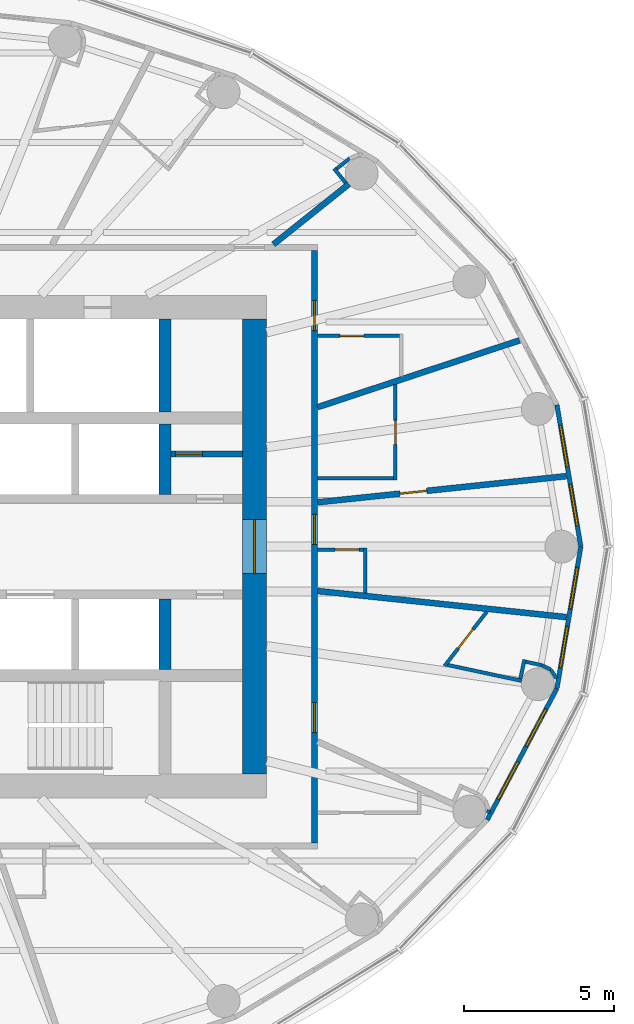
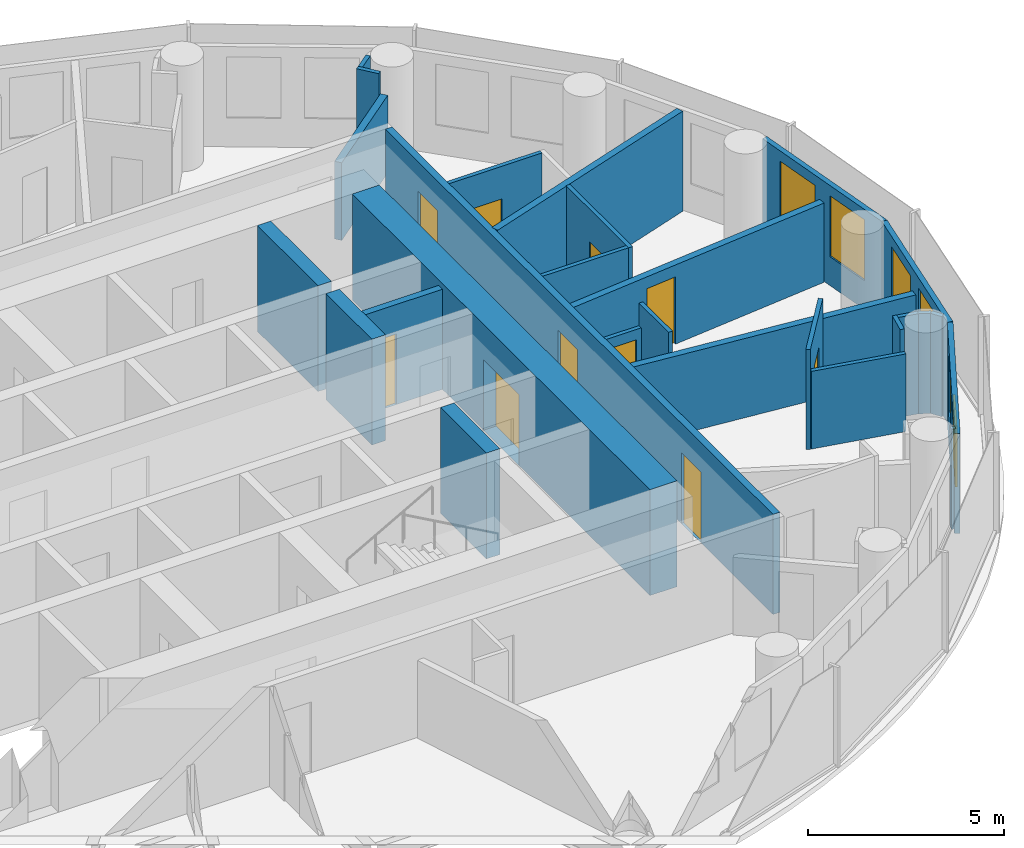
# One storey, part 11 of 16: 27 walls, 10 doors, 6 windows, 16 openings.
"""IFC4 building model written with IfcOpenShell, lengths in metres."""

from ifc_helpers import new_model, si_unit, direction, frame, frame_2d, origin, place, context, subcontext, project, spatial, rectangle, extrude, material, layer, layer_set, type_object, element, fill, save


model = new_model("IFC4")

# Units and contexts
model_context = context("Model", 3, precision=1e-05, world=origin(), true_north=direction((0.0, 1.0)))
body_context = subcontext(model_context, "Body", "Model", "MODEL_VIEW")
ifc_project = project(units=[si_unit("LENGTHUNIT", "METRE"), si_unit("AREAUNIT", "SQUARE_METRE"), si_unit("VOLUMEUNIT", "CUBIC_METRE"), si_unit("PLANEANGLEUNIT", "RADIAN"), si_unit("MASSUNIT", "GRAM", prefix="KILO")], contexts=[model_context])

# Site, building, storey
site_placement = place(None, origin())
site = spatial("IfcSite", under=ifc_project, at=site_placement, CompositionType="ELEMENT")
building_placement = place(site_placement, origin())
building = spatial("IfcBuilding", under=site, at=building_placement, Name="Hankou Lantern Tower", CompositionType="ELEMENT")
storey_placement = place(building_placement, frame((0.0, 0.0, 173.10009765625)))
storey = spatial("IfcBuildingStorey", under=building, at=storey_placement, Name="L46", CompositionType="ELEMENT", Elevation=173.10009765625)

# Wall, opening, door
ifc_material_1 = material(Name="Concrete C60", Category="concrete")
ifc_layer_1 = layer(ifc_material_1, 0.800048828125)
ifc_layer_set_1 = layer_set([ifc_layer_1], Name="Concrete C60")
wall_type_1 = type_object("IfcWallType", Name="CW2 CORE WALL 800", PredefinedType="SHEAR", material=ifc_layer_set_1)
wall_1_placement = place(storey_placement, frame((12.0, -7.60009765625, 0.0), z_axis=(0.0, 0.0, 1.0), x_axis=(0.0, 1.0, 0.0)))
wall_1 = element("IfcWall", 1, at=wall_1_placement, inside=storey, type_object=wall_type_1, Name="Core wall east L46", PredefinedType="SHEAR", context=body_context, shape_type="SweptSolid", body=[
    extrude(rectangle(XDim=15.2001953125, YDim=0.800048828125, at=frame_2d((7.60009765625, 0.0))), origin(), (0.0, 0.0, 1.0), 3.2998046875),
])
opening_1_placement = place(wall_1_placement, frame((6.699951171875, 0.0, 0.0)))
opening_1 = element("IfcOpeningElement", 2, at=opening_1_placement, cuts=wall_1, Name="Opening D6", PredefinedType="OPENING", context=body_context, shape_type="SweptSolid", body=[
    extrude(rectangle(XDim=1.800048828125, YDim=2.199951171875, at=frame_2d((0.89990234375, 1.10009765625))), frame((0.0, 0.409912109375, 0.0), z_axis=(0.0, -1.0, 0.0), x_axis=(1.0, 0.0, 0.0)), (0.0, 0.0, 1.0), 0.820068359375),
])
ifc_material_2 = material(Name="Steel door leaf", Category="steel")
door_type_1 = type_object("IfcDoorType", Name="D6 LIFT LOBBY DOOR 1800X2200", OperationType="DOUBLE_DOOR_DOUBLE_SWING", PredefinedType="DOOR", material=ifc_material_2)
door_1_placement = place(opening_1_placement, origin())
door_1 = element("IfcDoor", 3, at=door_1_placement, inside=storey, type_object=door_type_1, Name="Lift lobby east door", OperationType="DOUBLE_DOOR_DOUBLE_SWING", OverallHeight=2.199951171875, OverallWidth=1.800048828125, PredefinedType="DOOR", context=body_context, shape_type="SweptSolid", body=[
    extrude(rectangle(XDim=1.800048828125, YDim=2.199951171875, at=frame_2d((0.89990234375, 1.10009765625))), frame((0.0, 0.02490234375, 0.0), z_axis=(0.0, -1.0, 0.0), x_axis=(1.0, 0.0, 0.0)), (0.0, 0.0, 1.0), 0.050048828125),
])
fill(opening_1, door_1)

# Walls
ifc_material_3 = material(Name="Concrete C60", Category="concrete")
ifc_layer_2 = layer(ifc_material_3, 0.39990234375)
ifc_layer_set_2 = layer_set([ifc_layer_2], Name="Concrete C60")
wall_type_2 = type_object("IfcWallType", Name="CW4 CORE CROSS WALL 400", PredefinedType="SHEAR", material=ifc_layer_set_2)
wall_2_placement = place(storey_placement, frame((9.0, 4.5, 0.0), z_axis=(0.0, 0.0, 1.0), x_axis=(0.0, 1.0, 0.0)))
element("IfcWall", 4, at=wall_2_placement, inside=storey, type_object=wall_type_2, Name="Core strip wall L46", PredefinedType="SHEAR", context=body_context, shape_type="SweptSolid", body=[
    extrude(rectangle(XDim=3.10009765625, YDim=0.39990234375, at=frame_2d((1.550048828125, 0.0))), origin(), (0.0, 0.0, 1.0), 3.2998046875),
])
for number, where, z_axis, x_axis, name in (
    (5, (9.0, 1.75, 0.0), (0.0, 0.0, 1.0), (0.0, 1.0, 0.0), "Core strip wall L46"),
    (6, (9.0, -4.10009765625, 0.0), (0.0, 0.0, 1.0), (0.0, 1.0, 0.0), "Core strip wall L46"),
):
    element("IfcWall", number, at=place(storey_placement, frame(where, z_axis=z_axis, x_axis=x_axis)), inside=storey, type_object=wall_type_2, Name=name, PredefinedType="SHEAR", context=body_context, shape_type="SweptSolid", body=[
        extrude(rectangle(XDim=2.35009765625, YDim=0.39990234375, at=frame_2d((1.175048828125, 0.0))), origin(), (0.0, 0.0, 1.0), 3.2998046875),
    ])

# Wall, openings, windows
ifc_material_4 = material(Name="Aluminium spandrel panel on steel studs", Category="steel")
ifc_layer_3 = layer(ifc_material_4, 0.14990234375)
ifc_layer_set_3 = layer_set([ifc_layer_3], Name="Aluminium spandrel panel on steel studs")
wall_type_3 = type_object("IfcWallType", Name="EW1 INNER SKIN WALL 150", PredefinedType="ELEMENTEDWALL", material=ifc_layer_set_3)
wall_3_placement = place(storey_placement, frame((22.89990234375, 0.0, 0.0), z_axis=(0.0, 0.0, 1.0), x_axis=(-0.166162111254, 0.986098449843, 0.0)))
wall_3 = element("IfcWall", 7, at=wall_3_placement, inside=storey, type_object=wall_type_3, Name="Inner skin R01-R02 L46", PredefinedType="ELEMENTEDWALL", context=body_context, shape_type="SweptSolid", body=[
    extrude(rectangle(XDim=4.8046875, YDim=0.14990234375, at=frame_2d((2.40234375, 0.0))), origin(), (0.0, 0.0, 1.0), 3.119873046875),
])
opening_2_placement = place(wall_3_placement, frame((0.7021484375, 0.0, 0.89990234375)))
opening_2 = element("IfcOpeningElement", 8, at=opening_2_placement, cuts=wall_3, Name="Opening W3", PredefinedType="OPENING", context=body_context, shape_type="SweptSolid", body=[
    extrude(rectangle(XDim=1.39990234375, YDim=1.89990234375, at=frame_2d((0.699951171875, 0.949951171875))), frame((0.0, 0.0849609375, 0.0), z_axis=(0.0, -1.0, 0.0), x_axis=(1.0, 0.0, 0.0)), (0.0, 0.0, 1.0), 0.169921875),
])
opening_3_placement = place(wall_3_placement, frame((2.7021484375, 0.0, 0.89990234375)))
opening_3 = element("IfcOpeningElement", 9, at=opening_3_placement, cuts=wall_3, Name="Opening W3", PredefinedType="OPENING", context=body_context, shape_type="SweptSolid", body=[
    extrude(rectangle(XDim=1.39990234375, YDim=1.89990234375, at=frame_2d((0.699951171875, 0.949951171875))), frame((0.0, 0.0849609375, 0.0), z_axis=(0.0, -1.0, 0.0), x_axis=(1.0, 0.0, 0.0)), (0.0, 0.0, 1.0), 0.169921875),
])
ifc_material_5 = material(Name="Aluminium framed double glazed window", Category="aluminium")
window_type = type_object("IfcWindowType", Name="W3 GUEST ROOM WINDOW 1400X1900", PartitioningType="DOUBLE_PANEL_VERTICAL", PredefinedType="WINDOW", material=ifc_material_5)
window_1_placement = place(opening_2_placement, origin())
window_1 = element("IfcWindow", 10, at=window_1_placement, inside=storey, type_object=window_type, Name="Window R01.1 L46", OverallHeight=1.89990234375, OverallWidth=1.39990234375, PartitioningType="SINGLE_PANEL", PredefinedType="WINDOW", context=body_context, shape_type="SweptSolid", body=[
    extrude(rectangle(XDim=1.39990234375, YDim=1.89990234375, at=frame_2d((0.699951171875, 0.949951171875))), frame((0.0, 0.030029296875, 0.0), z_axis=(0.0, -1.0, 0.0), x_axis=(1.0, 0.0, 0.0)), (0.0, 0.0, 1.0), 0.06005859375),
])
fill(opening_2, window_1)
window_2_placement = place(opening_3_placement, origin())
window_2 = element("IfcWindow", 11, at=window_2_placement, inside=storey, type_object=window_type, Name="Window R01.2 L46", OverallHeight=1.89990234375, OverallWidth=1.39990234375, PartitioningType="SINGLE_PANEL", PredefinedType="WINDOW", context=body_context, shape_type="SweptSolid", body=[
    extrude(rectangle(XDim=1.39990234375, YDim=1.89990234375, at=frame_2d((0.699951171875, 0.949951171875))), frame((0.0, 0.030029296875, 0.0), z_axis=(0.0, -1.0, 0.0), x_axis=(1.0, 0.0, 0.0)), (0.0, 0.0, 1.0), 0.06005859375),
])
fill(opening_3, window_2)

wall_4_placement = place(storey_placement, frame((19.771728515625, -9.132080078125, 0.0), z_axis=(0.0, 0.0, 1.0), x_axis=(0.468428906714, 0.883501193748, 0.0)))
wall_4 = element("IfcWall", 12, at=wall_4_placement, inside=storey, type_object=wall_type_3, Name="Inner skin R23-R24 L46", PredefinedType="ELEMENTEDWALL", context=body_context, shape_type="SweptSolid", body=[
    extrude(rectangle(XDim=4.9736328125, YDim=0.14990234375, at=frame_2d((2.48681640625, 0.0))), origin(), (0.0, 0.0, 1.0), 3.119873046875),
])
opening_4_placement = place(wall_4_placement, frame((0.786865234375, 0.0, 0.89990234375)))
opening_4 = element("IfcOpeningElement", 13, at=opening_4_placement, cuts=wall_4, Name="Opening W3", PredefinedType="OPENING", context=body_context, shape_type="SweptSolid", body=[
    extrude(rectangle(XDim=1.39990234375, YDim=1.89990234375, at=frame_2d((0.699951171875, 0.949951171875))), frame((0.0, 0.0849609375, 0.0), z_axis=(0.0, -1.0, 0.0), x_axis=(1.0, 0.0, 0.0)), (0.0, 0.0, 1.0), 0.169921875),
])
opening_5_placement = place(wall_4_placement, frame((2.786865234375, 0.0, 0.89990234375)))
opening_5 = element("IfcOpeningElement", 14, at=opening_5_placement, cuts=wall_4, Name="Opening W3", PredefinedType="OPENING", context=body_context, shape_type="SweptSolid", body=[
    extrude(rectangle(XDim=1.39990234375, YDim=1.89990234375, at=frame_2d((0.699951171875, 0.949951171875))), frame((0.0, 0.0849609375, 0.0), z_axis=(0.0, -1.0, 0.0), x_axis=(1.0, 0.0, 0.0)), (0.0, 0.0, 1.0), 0.169921875),
])
window_3_placement = place(opening_4_placement, origin())
window_3 = element("IfcWindow", 15, at=window_3_placement, inside=storey, type_object=window_type, Name="Window R23.1 L46", OverallHeight=1.89990234375, OverallWidth=1.39990234375, PartitioningType="SINGLE_PANEL", PredefinedType="WINDOW", context=body_context, shape_type="SweptSolid", body=[
    extrude(rectangle(XDim=1.39990234375, YDim=1.89990234375, at=frame_2d((0.699951171875, 0.949951171875))), frame((0.0, 0.030029296875, 0.0), z_axis=(0.0, -1.0, 0.0), x_axis=(1.0, 0.0, 0.0)), (0.0, 0.0, 1.0), 0.06005859375),
])
fill(opening_4, window_3)
window_4_placement = place(opening_5_placement, origin())
window_4 = element("IfcWindow", 16, at=window_4_placement, inside=storey, type_object=window_type, Name="Window R23.2 L46", OverallHeight=1.89990234375, OverallWidth=1.39990234375, PartitioningType="SINGLE_PANEL", PredefinedType="WINDOW", context=body_context, shape_type="SweptSolid", body=[
    extrude(rectangle(XDim=1.39990234375, YDim=1.89990234375, at=frame_2d((0.699951171875, 0.949951171875))), frame((0.0, 0.030029296875, 0.0), z_axis=(0.0, -1.0, 0.0), x_axis=(1.0, 0.0, 0.0)), (0.0, 0.0, 1.0), 0.06005859375),
])
fill(opening_5, window_4)

wall_5_placement = place(storey_placement, frame((22.1015625, -4.73779296875, 0.0), z_axis=(0.0, 0.0, 1.0), x_axis=(0.166162111254, 0.986098449843, 0.0)))
wall_5 = element("IfcWall", 17, at=wall_5_placement, inside=storey, type_object=wall_type_3, Name="Inner skin R24-R01 L46", PredefinedType="ELEMENTEDWALL", context=body_context, shape_type="SweptSolid", body=[
    extrude(rectangle(XDim=4.8046875, YDim=0.14990234375, at=frame_2d((2.40234375, 0.0))), origin(), (0.0, 0.0, 1.0), 3.119873046875),
])
opening_6_placement = place(wall_5_placement, frame((0.7021484375, 0.0, 0.89990234375)))
opening_6 = element("IfcOpeningElement", 18, at=opening_6_placement, cuts=wall_5, Name="Opening W3", PredefinedType="OPENING", context=body_context, shape_type="SweptSolid", body=[
    extrude(rectangle(XDim=1.39990234375, YDim=1.89990234375, at=frame_2d((0.699951171875, 0.949951171875))), frame((0.0, 0.0849609375, 0.0), z_axis=(0.0, -1.0, 0.0), x_axis=(1.0, 0.0, 0.0)), (0.0, 0.0, 1.0), 0.169921875),
])
opening_7_placement = place(wall_5_placement, frame((2.7021484375, 0.0, 0.89990234375)))
opening_7 = element("IfcOpeningElement", 19, at=opening_7_placement, cuts=wall_5, Name="Opening W3", PredefinedType="OPENING", context=body_context, shape_type="SweptSolid", body=[
    extrude(rectangle(XDim=1.39990234375, YDim=1.89990234375, at=frame_2d((0.699951171875, 0.949951171875))), frame((0.0, 0.0849609375, 0.0), z_axis=(0.0, -1.0, 0.0), x_axis=(1.0, 0.0, 0.0)), (0.0, 0.0, 1.0), 0.169921875),
])
window_5_placement = place(opening_6_placement, origin())
window_5 = element("IfcWindow", 20, at=window_5_placement, inside=storey, type_object=window_type, Name="Window R24.1 L46", OverallHeight=1.89990234375, OverallWidth=1.39990234375, PartitioningType="SINGLE_PANEL", PredefinedType="WINDOW", context=body_context, shape_type="SweptSolid", body=[
    extrude(rectangle(XDim=1.39990234375, YDim=1.89990234375, at=frame_2d((0.699951171875, 0.949951171875))), frame((0.0, 0.030029296875, 0.0), z_axis=(0.0, -1.0, 0.0), x_axis=(1.0, 0.0, 0.0)), (0.0, 0.0, 1.0), 0.06005859375),
])
fill(opening_6, window_5)
window_6_placement = place(opening_7_placement, origin())
window_6 = element("IfcWindow", 21, at=window_6_placement, inside=storey, type_object=window_type, Name="Window R24.2 L46", OverallHeight=1.89990234375, OverallWidth=1.39990234375, PartitioningType="SINGLE_PANEL", PredefinedType="WINDOW", context=body_context, shape_type="SweptSolid", body=[
    extrude(rectangle(XDim=1.39990234375, YDim=1.89990234375, at=frame_2d((0.699951171875, 0.949951171875))), frame((0.0, 0.030029296875, 0.0), z_axis=(0.0, -1.0, 0.0), x_axis=(1.0, 0.0, 0.0)), (0.0, 0.0, 1.0), 0.06005859375),
])
fill(opening_7, window_6)

# Walls
ifc_material_6 = material(Name="Masonry lightweight concrete block", Category="masonry")
ifc_layer_4 = layer(ifc_material_6, 0.199951171875)
ifc_layer_set_4 = layer_set([ifc_layer_4], Name="Masonry lightweight concrete block")
wall_type_4 = type_object("IfcWallType", Name="IW1 GUEST ROOM PARTY WALL 200", PredefinedType="PARTITIONING", material=ifc_layer_set_4)
wall_6_placement = place(storey_placement, frame((14.10009765625, 4.661376953125, 0.0), z_axis=(0.0, 0.0, 1.0), x_axis=(0.949453216399, 0.313908569285, 0.0)))
element("IfcWall", 22, at=wall_6_placement, inside=storey, type_object=wall_type_4, Name="Party wall R02-R03", PredefinedType="PARTITIONING", context=body_context, shape_type="SweptSolid", body=[
    extrude(rectangle(XDim=7.108642578125, YDim=0.199951171875, at=frame_2d((3.55419921875, 0.0))), origin(), (0.0, 0.0, 1.0), 3.119873046875),
])
wall_7_placement = place(storey_placement, frame((12.625, 10.10009765625, 0.0), z_axis=(0.0, 0.0, 1.0), x_axis=(0.780876185034, 0.624685827954, 0.0)))
element("IfcWall", 23, at=wall_7_placement, inside=storey, type_object=wall_type_4, Name="Party wall R04", PredefinedType="PARTITIONING", context=body_context, shape_type="SweptSolid", body=[
    extrude(rectangle(XDim=3.229248046875, YDim=0.199951171875, at=frame_2d((1.61474609375, 0.0))), origin(), (0.0, 0.0, 1.0), 2.419921875),
])
wall_8_placement = place(storey_placement, frame((14.10009765625, -1.4814453125, 0.0), z_axis=(0.0, 0.0, 1.0), x_axis=(0.994524794819, -0.104500873159, 0.0)))
element("IfcWall", 24, at=wall_8_placement, inside=storey, type_object=wall_type_4, Name="Party wall R24-R01", PredefinedType="PARTITIONING", context=body_context, shape_type="SweptSolid", body=[
    extrude(rectangle(XDim=8.361572265625, YDim=0.199951171875, at=frame_2d((4.1806640625, 0.0))), origin(), (0.0, 0.0, 1.0), 2.469970703125),
])

# Wall, openings, doors
ifc_material_7 = material(Name="Masonry lightweight concrete block", Category="masonry")
ifc_layer_5 = layer(ifc_material_7, 0.199951171875)
ifc_layer_set_5 = layer_set([ifc_layer_5], Name="Masonry lightweight concrete block")
wall_type_5 = type_object("IfcWallType", Name="IW2 CORRIDOR WALL 200", PredefinedType="PARTITIONING", material=ifc_layer_set_5)
wall_9_placement = place(storey_placement, frame((14.0, -9.89990234375, 0.0), z_axis=(0.0, 0.0, 1.0), x_axis=(0.0, 1.0, 0.0)))
wall_9 = element("IfcWall", 25, at=wall_9_placement, inside=storey, type_object=wall_type_5, Name="Corridor wall east", PredefinedType="PARTITIONING", context=body_context, shape_type="SweptSolid", body=[
    extrude(rectangle(XDim=19.7998046875, YDim=0.199951171875, at=frame_2d((9.89990234375, 0.0))), origin(), (0.0, 0.0, 1.0), 3.119873046875),
])
opening_8_placement = place(wall_9_placement, frame((3.6875, 0.0, 0.0)))
opening_8 = element("IfcOpeningElement", 26, at=opening_8_placement, cuts=wall_9, Name="Opening D1", PredefinedType="OPENING", context=body_context, shape_type="SweptSolid", body=[
    extrude(rectangle(XDim=1.0, YDim=2.199951171875, at=frame_2d((0.5, 1.10009765625))), frame((0.0, 0.10986328125, 0.0), z_axis=(0.0, -1.0, 0.0), x_axis=(1.0, 0.0, 0.0)), (0.0, 0.0, 1.0), 0.219970703125),
])
opening_9_placement = place(wall_9_placement, frame((9.978515625, 0.0, 0.0)))
opening_9 = element("IfcOpeningElement", 27, at=opening_9_placement, cuts=wall_9, Name="Opening D2", PredefinedType="OPENING", context=body_context, shape_type="SweptSolid", body=[
    extrude(rectangle(XDim=1.0, YDim=2.199951171875, at=frame_2d((0.5, 1.10009765625))), frame((0.0, 0.10986328125, 0.0), z_axis=(0.0, -1.0, 0.0), x_axis=(1.0, 0.0, 0.0)), (0.0, 0.0, 1.0), 0.219970703125),
])
opening_10_placement = place(wall_9_placement, frame((17.12158203125, 0.0, 0.0)))
opening_10 = element("IfcOpeningElement", 28, at=opening_10_placement, cuts=wall_9, Name="Opening D1", PredefinedType="OPENING", context=body_context, shape_type="SweptSolid", body=[
    extrude(rectangle(XDim=1.0, YDim=2.199951171875, at=frame_2d((0.5, 1.10009765625))), frame((0.0, 0.10986328125, 0.0), z_axis=(0.0, -1.0, 0.0), x_axis=(1.0, 0.0, 0.0)), (0.0, 0.0, 1.0), 0.219970703125),
])
ifc_material_8 = material(Name="Steel door leaf", Category="steel")
door_type_2 = type_object("IfcDoorType", Name="D1 GUEST ROOM DOOR 1000X2200", OperationType="SINGLE_SWING_LEFT", PredefinedType="DOOR", material=ifc_material_8)
door_2_placement = place(opening_8_placement, origin())
door_2 = element("IfcDoor", 29, at=door_2_placement, inside=storey, type_object=door_type_2, Name="Guest room door 4604", OperationType="SINGLE_SWING_LEFT", OverallHeight=2.199951171875, OverallWidth=1.0, PredefinedType="DOOR", context=body_context, shape_type="SweptSolid", body=[
    extrude(rectangle(XDim=1.0, YDim=2.199951171875, at=frame_2d((0.5, 1.10009765625))), frame((0.0, 0.02490234375, 0.0), z_axis=(0.0, -1.0, 0.0), x_axis=(1.0, 0.0, 0.0)), (0.0, 0.0, 1.0), 0.050048828125),
])
fill(opening_8, door_2)
door_3_placement = place(opening_10_placement, origin())
door_3 = element("IfcDoor", 30, at=door_3_placement, inside=storey, type_object=door_type_2, Name="Guest room door 4606", OperationType="SINGLE_SWING_RIGHT", OverallHeight=2.199951171875, OverallWidth=1.0, PredefinedType="DOOR", context=body_context, shape_type="SweptSolid", body=[
    extrude(rectangle(XDim=1.0, YDim=2.199951171875, at=frame_2d((0.5, 1.10009765625))), frame((0.0, 0.02490234375, 0.0), z_axis=(0.0, -1.0, 0.0), x_axis=(1.0, 0.0, 0.0)), (0.0, 0.0, 1.0), 0.050048828125),
])
fill(opening_10, door_3)
ifc_material_9 = material(Name="Steel door leaf", Category="steel")
door_type_3 = type_object("IfcDoorType", Name="D2 SUITE DOOR 1000X2200", OperationType="SINGLE_SWING_LEFT", PredefinedType="DOOR", material=ifc_material_9)
door_4_placement = place(opening_9_placement, origin())
door_4 = element("IfcDoor", 31, at=door_4_placement, inside=storey, type_object=door_type_3, Name="Suite door 4605C", OperationType="SINGLE_SWING_RIGHT", OverallHeight=2.199951171875, OverallWidth=1.0, PredefinedType="DOOR", context=body_context, shape_type="SweptSolid", body=[
    extrude(rectangle(XDim=1.0, YDim=2.199951171875, at=frame_2d((0.5, 1.10009765625))), frame((0.0, 0.02490234375, 0.0), z_axis=(0.0, -1.0, 0.0), x_axis=(1.0, 0.0, 0.0)), (0.0, 0.0, 1.0), 0.050048828125),
])
fill(opening_9, door_4)

# Wall, opening, door
ifc_material_10 = material(Name="Masonry lightweight concrete block", Category="masonry")
ifc_layer_6 = layer(ifc_material_10, 0.1201171875)
ifc_layer_set_6 = layer_set([ifc_layer_6], Name="Masonry lightweight concrete block")
wall_type_6 = type_object("IfcWallType", Name="IW3 BATHROOM WALL 120", PredefinedType="PARTITIONING", material=ifc_layer_set_6)
wall_10_placement = place(storey_placement, frame((19.757568359375, -2.176513671875, 0.0), z_axis=(0.0, 0.0, 1.0), x_axis=(-0.614713147302, -0.788750750576, 0.0)))
wall_10 = element("IfcWall", 32, at=wall_10_placement, inside=storey, type_object=wall_type_6, Name="Box wall 4604 1", PredefinedType="PARTITIONING", context=body_context, shape_type="SweptSolid", body=[
    extrude(rectangle(XDim=2.29638671875, YDim=0.1201171875, at=frame_2d((1.148193359375, 0.0))), origin(), (0.0, 0.0, 1.0), 3.119873046875),
])
opening_11_placement = place(wall_10_placement, frame((0.748291015625, 0.0, 0.0)))
opening_11 = element("IfcOpeningElement", 33, at=opening_11_placement, cuts=wall_10, Name="Opening D3", PredefinedType="OPENING", context=body_context, shape_type="SweptSolid", body=[
    extrude(rectangle(XDim=0.800048828125, YDim=2.10009765625, at=frame_2d((0.39990234375, 1.050048828125))), frame((0.0, 0.070068359375, 0.0), z_axis=(0.0, -1.0, 0.0), x_axis=(1.0, 0.0, 0.0)), (0.0, 0.0, 1.0), 0.14013671875),
])
ifc_material_11 = material(Name="Timber door leaf", Category="wood")
door_type_4 = type_object("IfcDoorType", Name="D3 BATHROOM DOOR 800X2100", OperationType="SINGLE_SWING_LEFT", PredefinedType="DOOR", material=ifc_material_11)
door_5_placement = place(opening_11_placement, origin())
door_5 = element("IfcDoor", 34, at=door_5_placement, inside=storey, type_object=door_type_4, Name="En-suite bathroom 4604 door", OperationType="SINGLE_SWING_RIGHT", OverallHeight=2.10009765625, OverallWidth=0.800048828125, PredefinedType="DOOR", context=body_context, shape_type="SweptSolid", body=[
    extrude(rectangle(XDim=0.800048828125, YDim=2.10009765625, at=frame_2d((0.39990234375, 1.050048828125))), frame((0.0, 0.02490234375, 0.0), z_axis=(0.0, -1.0, 0.0), x_axis=(1.0, 0.0, 0.0)), (0.0, 0.0, 1.0), 0.050048828125),
])
fill(opening_11, door_5)

# Walls
wall_11_placement = place(storey_placement, frame((18.44140625, -3.953125, 0.0), z_axis=(0.0, 0.0, 1.0), x_axis=(0.977801007461, -0.209535652833, 0.0)))
element("IfcWall", 35, at=wall_11_placement, inside=storey, type_object=wall_type_6, Name="Box wall 4604 2", PredefinedType="PARTITIONING", context=body_context, shape_type="SweptSolid", body=[
    extrude(rectangle(XDim=2.5400390625, YDim=0.1201171875, at=frame_2d((1.27001953125, 0.0))), origin(), (0.0, 0.0, 1.0), 2.419921875),
])
wall_12_placement = place(storey_placement, frame((20.87890625, -4.414306640625, 0.0), z_axis=(0.0, 0.0, 1.0), x_axis=(0.209554644104, 0.977796937577, 0.0)))
element("IfcWall", 36, at=wall_12_placement, inside=storey, type_object=wall_type_6, Name="Column casing 4604 return", PredefinedType="PARTITIONING", context=body_context, shape_type="SweptSolid", body=[
    extrude(rectangle(XDim=0.65234375, YDim=0.1201171875, at=frame_2d((0.326171875, 0.0))), origin(), (0.0, 0.0, 1.0), 3.119873046875),
])
wall_13_placement = place(storey_placement, frame((21.061767578125, -3.84765625, 0.0), z_axis=(0.0, 0.0, 1.0), x_axis=(0.977789415726, -0.209589738521, 0.0)))
element("IfcWall", 37, at=wall_13_placement, inside=storey, type_object=wall_type_6, Name="Column casing 4604", PredefinedType="PARTITIONING", context=body_context, shape_type="SweptSolid", body=[
    extrude(rectangle(XDim=0.5498046875, YDim=0.1201171875, at=frame_2d((0.27490234375, 0.0))), origin(), (0.0, 0.0, 1.0), 3.119873046875),
])
wall_14_placement = place(storey_placement, frame((21.599365234375, -3.962890625, 0.0), z_axis=(0.0, 0.0, 1.0), x_axis=(0.890193602875, -0.455582428766, 0.0)))
element("IfcWall", 38, at=wall_14_placement, inside=storey, type_object=wall_type_6, Name="Column casing 4604", PredefinedType="PARTITIONING", context=body_context, shape_type="SweptSolid", body=[
    extrude(rectangle(XDim=0.337646484375, YDim=0.1201171875, at=frame_2d((0.1689453125, 0.0))), origin(), (0.0, 0.0, 1.0), 3.119873046875),
])
wall_15_placement = place(storey_placement, frame((21.89990234375, -4.11669921875, 0.0), z_axis=(0.0, 0.0, 1.0), x_axis=(0.543582688681, -0.839355622228, 0.0)))
element("IfcWall", 39, at=wall_15_placement, inside=storey, type_object=wall_type_6, Name="Column casing 4604", PredefinedType="PARTITIONING", context=body_context, shape_type="SweptSolid", body=[
    extrude(rectangle(XDim=0.3359375, YDim=0.1201171875, at=frame_2d((0.16796875, 0.0))), origin(), (0.0, 0.0, 1.0), 3.119873046875),
])
wall_16_placement = place(storey_placement, frame((15.699951171875, -1.549560546875, 0.0), z_axis=(0.0, 0.0, 1.0), x_axis=(0.0, 1.0, 0.0)))
element("IfcWall", 40, at=wall_16_placement, inside=storey, type_object=wall_type_6, Name="Box wall 4605C 1", PredefinedType="PARTITIONING", context=body_context, shape_type="SweptSolid", body=[
    extrude(rectangle(XDim=1.508056640625, YDim=0.1201171875, at=frame_2d((0.75390625, 0.0))), origin(), (0.0, 0.0, 1.0), 3.119873046875),
])

# Wall, opening, door
wall_17_placement = place(storey_placement, frame((14.10009765625, -0.1015625, 0.0), z_axis=(0.0, 0.0, 1.0), x_axis=(1.0, 0.0, 0.0)))
wall_17 = element("IfcWall", 41, at=wall_17_placement, inside=storey, type_object=wall_type_6, Name="Box wall 4605C 1", PredefinedType="PARTITIONING", context=body_context, shape_type="SweptSolid", body=[
    extrude(rectangle(XDim=1.539794921875, YDim=0.1201171875, at=frame_2d((0.77001953125, 0.0))), origin(), (0.0, 0.0, 1.0), 2.419921875),
])
opening_12_placement = place(wall_17_placement, frame((0.590087890625, 0.0, 0.0)))
opening_12 = element("IfcOpeningElement", 42, at=opening_12_placement, cuts=wall_17, Name="Opening D3", PredefinedType="OPENING", context=body_context, shape_type="SweptSolid", body=[
    extrude(rectangle(XDim=0.800048828125, YDim=2.10009765625, at=frame_2d((0.39990234375, 1.050048828125))), frame((0.0, 0.070068359375, 0.0), z_axis=(0.0, -1.0, 0.0), x_axis=(1.0, 0.0, 0.0)), (0.0, 0.0, 1.0), 0.14013671875),
])
door_6_placement = place(opening_12_placement, origin())
door_6 = element("IfcDoor", 43, at=door_6_placement, inside=storey, type_object=door_type_4, Name="Suite 4605 guest WC door", OperationType="SINGLE_SWING_LEFT", OverallHeight=2.10009765625, OverallWidth=0.800048828125, PredefinedType="DOOR", context=body_context, shape_type="SweptSolid", body=[
    extrude(rectangle(XDim=0.800048828125, YDim=2.10009765625, at=frame_2d((0.39990234375, 1.050048828125))), frame((0.0, 0.02490234375, 0.0), z_axis=(0.0, -1.0, 0.0), x_axis=(1.0, 0.0, 0.0)), (0.0, 0.0, 1.0), 0.050048828125),
])
fill(opening_12, door_6)

wall_18_placement = place(storey_placement, frame((16.699951171875, 5.421142578125, 0.0), z_axis=(0.0, 0.0, 1.0), x_axis=(0.0, -1.0, 0.0)))
wall_18 = element("IfcWall", 44, at=wall_18_placement, inside=storey, type_object=wall_type_6, Name="Box wall 4605A 1", PredefinedType="PARTITIONING", context=body_context, shape_type="SweptSolid", body=[
    extrude(rectangle(XDim=3.19970703125, YDim=0.1201171875, at=frame_2d((1.599853515625, 0.0))), origin(), (0.0, 0.0, 1.0), 3.119873046875),
])
opening_13_placement = place(wall_18_placement, frame((1.19970703125, 0.0, 0.0)))
opening_13 = element("IfcOpeningElement", 45, at=opening_13_placement, cuts=wall_18, Name="Opening D3", PredefinedType="OPENING", context=body_context, shape_type="SweptSolid", body=[
    extrude(rectangle(XDim=0.800048828125, YDim=2.10009765625, at=frame_2d((0.39990234375, 1.050048828125))), frame((0.0, 0.070068359375, 0.0), z_axis=(0.0, -1.0, 0.0), x_axis=(1.0, 0.0, 0.0)), (0.0, 0.0, 1.0), 0.14013671875),
])
door_7_placement = place(opening_13_placement, origin())
door_7 = element("IfcDoor", 46, at=door_7_placement, inside=storey, type_object=door_type_4, Name="Suite 4605 bathroom door", OperationType="SINGLE_SWING_LEFT", OverallHeight=2.10009765625, OverallWidth=0.800048828125, PredefinedType="DOOR", context=body_context, shape_type="SweptSolid", body=[
    extrude(rectangle(XDim=0.800048828125, YDim=2.10009765625, at=frame_2d((0.39990234375, 1.050048828125))), frame((0.0, 0.02490234375, 0.0), z_axis=(0.0, -1.0, 0.0), x_axis=(1.0, 0.0, 0.0)), (0.0, 0.0, 1.0), 0.050048828125),
])
fill(opening_13, door_7)

# Wall
wall_19_placement = place(storey_placement, frame((14.10009765625, 2.281494140625, 0.0), z_axis=(0.0, 0.0, 1.0), x_axis=(1.0, 0.0, 0.0)))
element("IfcWall", 47, at=wall_19_placement, inside=storey, type_object=wall_type_6, Name="Box wall 4605A 1", PredefinedType="PARTITIONING", context=body_context, shape_type="SweptSolid", body=[
    extrude(rectangle(XDim=2.539794921875, YDim=0.1201171875, at=frame_2d((1.27001953125, 0.0))), origin(), (0.0, 0.0, 1.0), 3.119873046875),
])

# Wall, opening, door
wall_20_placement = place(storey_placement, frame((14.10009765625, 7.04150390625, 0.0), z_axis=(0.0, 0.0, 1.0), x_axis=(1.0, 0.0, 0.0)))
wall_20 = element("IfcWall", 48, at=wall_20_placement, inside=storey, type_object=wall_type_6, Name="Box wall 4606 1", PredefinedType="PARTITIONING", context=body_context, shape_type="SweptSolid", body=[
    extrude(rectangle(XDim=2.739990234375, YDim=0.1201171875, at=frame_2d((1.3701171875, 0.0))), origin(), (0.0, 0.0, 1.0), 3.119873046875),
])
opening_14_placement = place(wall_20_placement, frame((0.75, 0.0, 0.0)))
opening_14 = element("IfcOpeningElement", 49, at=opening_14_placement, cuts=wall_20, Name="Opening D3", PredefinedType="OPENING", context=body_context, shape_type="SweptSolid", body=[
    extrude(rectangle(XDim=0.800048828125, YDim=2.10009765625, at=frame_2d((0.39990234375, 1.050048828125))), frame((0.0, 0.070068359375, 0.0), z_axis=(0.0, -1.0, 0.0), x_axis=(1.0, 0.0, 0.0)), (0.0, 0.0, 1.0), 0.14013671875),
])
door_8_placement = place(opening_14_placement, origin())
door_8 = element("IfcDoor", 50, at=door_8_placement, inside=storey, type_object=door_type_4, Name="En-suite bathroom 4606 door", OperationType="SINGLE_SWING_LEFT", OverallHeight=2.10009765625, OverallWidth=0.800048828125, PredefinedType="DOOR", context=body_context, shape_type="SweptSolid", body=[
    extrude(rectangle(XDim=0.800048828125, YDim=2.10009765625, at=frame_2d((0.39990234375, 1.050048828125))), frame((0.0, 0.02490234375, 0.0), z_axis=(0.0, -1.0, 0.0), x_axis=(1.0, 0.0, 0.0)), (0.0, 0.0, 1.0), 0.050048828125),
])
fill(opening_14, door_8)

# Walls
ifc_material_12 = material(Name="Masonry lightweight concrete block", Category="masonry")
ifc_layer_7 = layer(ifc_material_12, 0.1201171875)
ifc_layer_set_7 = layer_set([ifc_layer_7], Name="Masonry lightweight concrete block")
wall_type_7 = type_object("IfcWallType", Name="IW4 PARTITION 120", PredefinedType="PARTITIONING", material=ifc_layer_set_7)
wall_21_placement = place(storey_placement, frame((15.037353515625, 12.157958984375, 0.0), z_axis=(0.0, 0.0, 1.0), x_axis=(-0.624840920722, 0.78075208856, 0.0)))
element("IfcWall", 51, at=wall_21_placement, inside=storey, type_object=wall_type_7, Name="Column casing R04 return", PredefinedType="PARTITIONING", context=body_context, shape_type="SweptSolid", body=[
    extrude(rectangle(XDim=0.6123046875, YDim=0.1201171875, at=frame_2d((0.30615234375, 0.0))), origin(), (0.0, 0.0, 1.0), 3.119873046875),
])
wall_22_placement = place(storey_placement, frame((14.7392578125, 12.626708984375, 0.0), z_axis=(0.0, 0.0, 1.0), x_axis=(0.780912119987, 0.624640905527, 0.0)))
element("IfcWall", 52, at=wall_22_placement, inside=storey, type_object=wall_type_7, Name="Column casing R04", PredefinedType="PARTITIONING", context=body_context, shape_type="SweptSolid", body=[
    extrude(rectangle(XDim=0.5498046875, YDim=0.1201171875, at=frame_2d((0.27490234375, 0.0))), origin(), (0.0, 0.0, 1.0), 3.119873046875),
])
wall_23_placement = place(storey_placement, frame((19.82177734375, -8.796142578125, 0.0), z_axis=(0.0, 0.0, 1.0), x_axis=(-0.169701508781, -0.985495508827, 0.0)))
element("IfcWall", 53, at=wall_23_placement, inside=storey, type_object=wall_type_7, Name="Column casing R23", PredefinedType="PARTITIONING", context=body_context, shape_type="SweptSolid", body=[
    extrude(rectangle(XDim=0.119384765625, YDim=0.1201171875, at=frame_2d((0.0595703125, 0.0))), origin(), (0.0, 0.0, 1.0), 3.119873046875),
])

# Wall, opening, door
ifc_material_13 = material(Name="Masonry lightweight concrete block", Category="masonry")
ifc_layer_8 = layer(ifc_material_13, 0.199951171875)
ifc_layer_set_8 = layer_set([ifc_layer_8], Name="Masonry lightweight concrete block")
wall_type_8 = type_object("IfcWallType", Name="IW6 SUITE PARTITION 200", PredefinedType="PARTITIONING", material=ifc_layer_set_8)
wall_24_placement = place(storey_placement, frame((14.10009765625, 1.4814453125, 0.0), z_axis=(0.0, 0.0, 1.0), x_axis=(0.994524794819, 0.104500873159, 0.0)))
wall_24 = element("IfcWall", 54, at=wall_24_placement, inside=storey, type_object=wall_type_8, Name="Suite partition R01-R02", PredefinedType="PARTITIONING", context=body_context, shape_type="SweptSolid", body=[
    extrude(rectangle(XDim=8.361572265625, YDim=0.199951171875, at=frame_2d((4.1806640625, 0.0))), origin(), (0.0, 0.0, 1.0), 2.469970703125),
])
opening_15_placement = place(wall_24_placement, frame((2.77001953125, 0.0, 0.0)))
opening_15 = element("IfcOpeningElement", 55, at=opening_15_placement, cuts=wall_24, Name="Opening D27", PredefinedType="OPENING", context=body_context, shape_type="SweptSolid", body=[
    extrude(rectangle(XDim=0.89990234375, YDim=2.10009765625, at=frame_2d((0.449951171875, 1.050048828125))), frame((0.0, 0.10986328125, 0.0), z_axis=(0.0, -1.0, 0.0), x_axis=(1.0, 0.0, 0.0)), (0.0, 0.0, 1.0), 0.219970703125),
])
ifc_material_14 = material(Name="Timber door leaf", Category="wood")
door_type_5 = type_object("IfcDoorType", Name="D27 INTERNAL DOOR 900X2100", OperationType="SINGLE_SWING_LEFT", PredefinedType="DOOR", material=ifc_material_14)
door_9_placement = place(opening_15_placement, origin())
door_9 = element("IfcDoor", 56, at=door_9_placement, inside=storey, type_object=door_type_5, Name="Suite 4605 bedroom door", OperationType="SINGLE_SWING_LEFT", OverallHeight=2.10009765625, OverallWidth=0.89990234375, PredefinedType="DOOR", context=body_context, shape_type="SweptSolid", body=[
    extrude(rectangle(XDim=0.89990234375, YDim=2.10009765625, at=frame_2d((0.449951171875, 1.050048828125))), frame((0.0, 0.02490234375, 0.0), z_axis=(0.0, -1.0, 0.0), x_axis=(1.0, 0.0, 0.0)), (0.0, 0.0, 1.0), 0.050048828125),
])
fill(opening_15, door_9)

ifc_material_15 = material(Name="Masonry lightweight concrete block", Category="masonry")
ifc_layer_9 = layer(ifc_material_15, 0.199951171875)
ifc_layer_set_9 = layer_set([ifc_layer_9], Name="Masonry lightweight concrete block")
wall_type_9 = type_object("IfcWallType", Name="IW8 PARTITION 200", PredefinedType="PARTITIONING", material=ifc_layer_set_9)
wall_25_placement = place(storey_placement, frame((9.199951171875, 3.10009765625, 0.0), z_axis=(0.0, 0.0, 1.0), x_axis=(1.0, 0.0, 0.0)))
wall_25 = element("IfcWall", 57, at=wall_25_placement, inside=storey, type_object=wall_type_9, Name="Partition staff locker room", PredefinedType="PARTITIONING", context=body_context, shape_type="SweptSolid", body=[
    extrude(rectangle(XDim=2.400146484375, YDim=0.199951171875, at=frame_2d((1.2001953125, 0.0))), origin(), (0.0, 0.0, 1.0), 3.119873046875),
])
opening_16_placement = place(wall_25_placement, frame((0.14990234375, 0.0, 0.0)))
opening_16 = element("IfcOpeningElement", 58, at=opening_16_placement, cuts=wall_25, Name="Opening D12", PredefinedType="OPENING", context=body_context, shape_type="SweptSolid", body=[
    extrude(rectangle(XDim=0.89990234375, YDim=2.199951171875, at=frame_2d((0.449951171875, 1.10009765625))), frame((0.0, 0.10986328125, 0.0), z_axis=(0.0, -1.0, 0.0), x_axis=(1.0, 0.0, 0.0)), (0.0, 0.0, 1.0), 0.219970703125),
])
ifc_material_16 = material(Name="Steel door leaf", Category="steel")
door_type_6 = type_object("IfcDoorType", Name="D12 STORE DOOR 900X2200", OperationType="SINGLE_SWING_LEFT", PredefinedType="DOOR", material=ifc_material_16)
door_10_placement = place(opening_16_placement, origin())
door_10 = element("IfcDoor", 59, at=door_10_placement, inside=storey, type_object=door_type_6, Name="Uniform cupboard door", OperationType="SINGLE_SWING_LEFT", OverallHeight=2.199951171875, OverallWidth=0.89990234375, PredefinedType="DOOR", context=body_context, shape_type="SweptSolid", body=[
    extrude(rectangle(XDim=0.89990234375, YDim=2.199951171875, at=frame_2d((0.449951171875, 1.10009765625))), frame((0.0, 0.02490234375, 0.0), z_axis=(0.0, -1.0, 0.0), x_axis=(1.0, 0.0, 0.0)), (0.0, 0.0, 1.0), 0.050048828125),
])
fill(opening_16, door_10)

save(model, "model.ifc")
